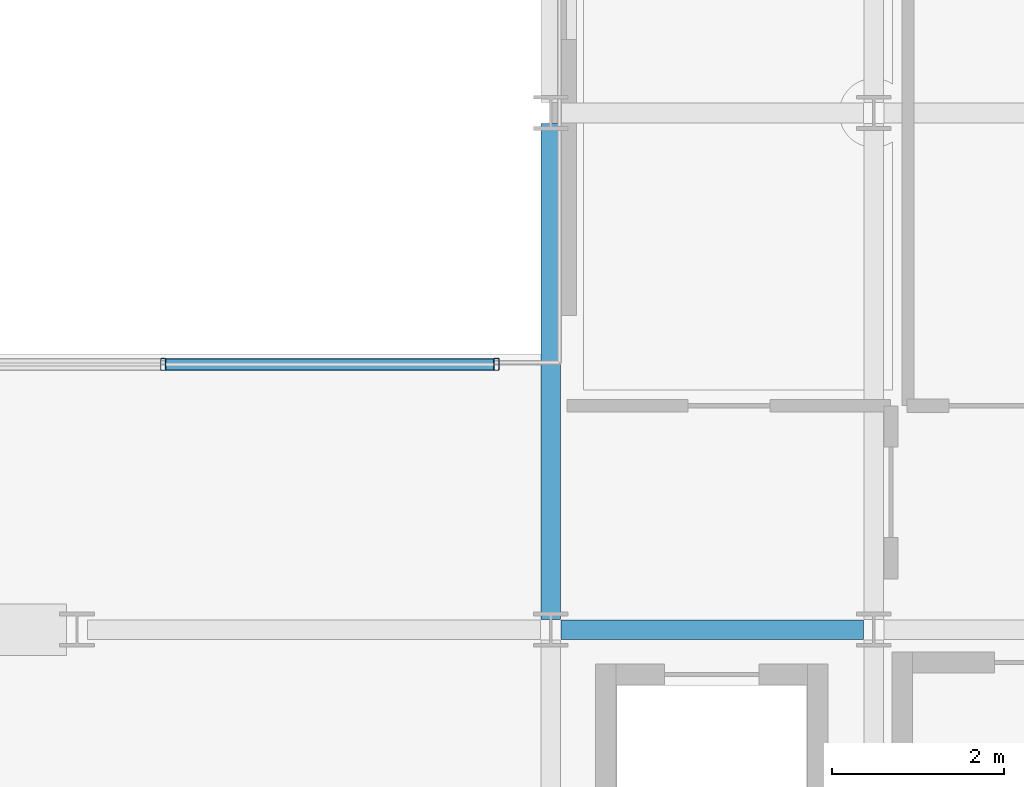
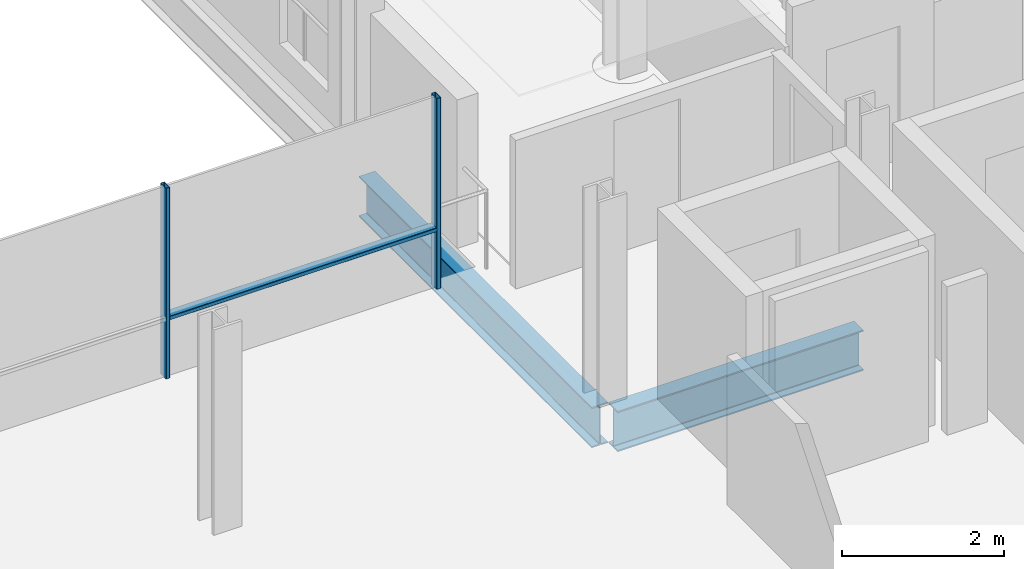
# One storey, part 15 of 41: 3 members, 2 beams, 1 element without a shape of its own.
"""IFC4 building model written with IfcOpenShell, lengths in metres."""

from ifc_helpers import new_model, si_unit, direction, frame, origin, origin_2d, place, context, subcontext, project, spatial, hollow_rectangle, i_section, extrude, material, layer, layer_set, material_profile, profile_set, type_object, element, aggregate, save


model = new_model("IFC4")

# Units and contexts
model_context = context("Model", 3, precision=1e-05, world=origin(), true_north=direction((0.0, 1.0)))
body_context = subcontext(model_context, "Body", "Model", "MODEL_VIEW")
ifc_project = project(units=[si_unit("LENGTHUNIT", "METRE"), si_unit("AREAUNIT", "SQUARE_METRE"), si_unit("VOLUMEUNIT", "CUBIC_METRE"), si_unit("PLANEANGLEUNIT", "RADIAN"), si_unit("MASSUNIT", "GRAM", prefix="KILO")], contexts=[model_context])

# Site, building, storey
site_placement = place(None, origin())
site = spatial("IfcSite", under=ifc_project, at=site_placement, CompositionType="ELEMENT")
building_placement = place(site_placement, origin())
building = spatial("IfcBuilding", under=site, at=building_placement, Name="Brevholm Reach", CompositionType="ELEMENT")
storey_placement = place(building_placement, frame((0.0, 0.0, 163.5)))
storey = spatial("IfcBuildingStorey", under=building, at=storey_placement, Name="L49", CompositionType="ELEMENT", Elevation=163.5)

# Beams
ifc_material_1 = material(Name="Structural Steel S355J2", Category="steel")
ifc_material_profile_1 = material_profile(ifc_material_1, i_section(OverallWidth=0.22900390625, OverallDepth=0.6123046875, WebThickness=0.011962890625, FlangeThickness=0.01953125, FilletRadius=0.0126953125, at=origin_2d()), Name="UKB 610x229x125")
ifc_profile_set_1 = profile_set([ifc_material_profile_1], Name="Structural Steel S355J2")
beam_type = type_object("IfcBeamType", Name="BM-SP610", PredefinedType="SPANDREL", material=ifc_profile_set_1)
beam_1_placement = place(storey_placement, frame((38.3701171875, 10.0, -0.526123046875), z_axis=(1.0, 0.0, 0.0), x_axis=(0.0, 1.0, 0.0)))
element("IfcBeam", 1, at=beam_1_placement, inside=storey, type_object=beam_type, Name="L49 SP-01 Framing Beam", PredefinedType="SPANDREL", context=body_context, shape_type="SweptSolid", body=[
    extrude(i_section(OverallWidth=0.22900390625, OverallDepth=0.6123046875, WebThickness=0.011962890625, FlangeThickness=0.01953125, FilletRadius=0.0126953125, at=origin_2d()), origin(), (0.0, 0.0, 1.0), 3.509765625),
])
beam_2_placement = place(storey_placement, frame((38.25, 10.1201171875, -0.526123046875), z_axis=(0.0, 1.0, 0.0), x_axis=(-1.0, 0.0, 0.0)))
element("IfcBeam", 2, at=beam_2_placement, inside=storey, type_object=beam_type, Name="L49 SP-01 Framing Beam", PredefinedType="SPANDREL", context=body_context, shape_type="SweptSolid", body=[
    extrude(i_section(OverallWidth=0.22900390625, OverallDepth=0.6123046875, WebThickness=0.011962890625, FlangeThickness=0.01953125, FilletRadius=0.0126953125, at=origin_2d()), origin(), (0.0, 0.0, 1.0), 5.759765625),
])

# Curtain wall, members
ifc_material_2 = material(Name="Dark Anodised Aluminium 6063-T6 and Solar-Control Glass", Category="aluminium")
ifc_layer = layer(ifc_material_2, 0.139892578125)
ifc_layer_set = layer_set([ifc_layer], Name="Dark Anodised Aluminium 6063-T6 and Solar-Control Glass")
curtain_wall_type = type_object("IfcCurtainWallType", Name="CW-02", PredefinedType="NOTDEFINED", material=ifc_layer_set)
curtain_wall_placement = place(storey_placement, origin())
curtain_wall = element("IfcCurtainWall", 3, at=curtain_wall_placement, inside=storey, type_object=curtain_wall_type, Name="L49 Curtain Wall CW-02", PredefinedType="NOTDEFINED")
ifc_material_3 = material(Name="Dark Anodised Aluminium 6063-T6", Category="aluminium")
ifc_material_profile_2 = material_profile(ifc_material_3, hollow_rectangle(XDim=0.06005859375, YDim=0.139892578125, WallThickness=0.0048828125, InnerFilletRadius=0.0048828125, OuterFilletRadius=0.010009765625, at=origin_2d()), Name="RHS 140x60x5")
ifc_profile_set_2 = profile_set([ifc_material_profile_2], Name="Dark Anodised Aluminium 6063-T6")
member_type_1 = type_object("IfcMemberType", Name="CWM-140", PredefinedType="MULLION", material=ifc_profile_set_2)
member_1_placement = place(storey_placement, frame((33.75, 13.080078125, 0.0), z_axis=(0.0, 0.0, 1.0), x_axis=(1.0, 0.0, 0.0)))
member_1 = element("IfcMember", 4, at=member_1_placement, type_object=member_type_1, Name="CM-140 Mullion 4", PredefinedType="MULLION", context=body_context, shape_type="SweptSolid", body=[
    extrude(hollow_rectangle(XDim=0.06005859375, YDim=0.139892578125, WallThickness=0.0048828125, InnerFilletRadius=0.0048828125, OuterFilletRadius=0.010009765625, at=origin_2d()), origin(), (0.0, 0.0, 1.0), 2.8798828125),
])
member_2_placement = place(storey_placement, frame((37.6201171875, 13.080078125, 0.0), z_axis=(0.0, 0.0, 1.0), x_axis=(1.0, 0.0, 0.0)))
member_2 = element("IfcMember", 5, at=member_2_placement, type_object=member_type_1, Name="CM-140 Mullion 5", PredefinedType="MULLION", context=body_context, shape_type="SweptSolid", body=[
    extrude(hollow_rectangle(XDim=0.06005859375, YDim=0.139892578125, WallThickness=0.0048828125, InnerFilletRadius=0.0048828125, OuterFilletRadius=0.010009765625, at=origin_2d()), origin(), (0.0, 0.0, 1.0), 2.8798828125),
])
ifc_material_4 = material(Name="Dark Anodised Aluminium 6063-T6", Category="aluminium")
ifc_material_profile_3 = material_profile(ifc_material_4, hollow_rectangle(XDim=0.06005859375, YDim=0.139892578125, WallThickness=0.0048828125, InnerFilletRadius=0.0048828125, OuterFilletRadius=0.010009765625, at=origin_2d()), Name="RHS 140x60x5")
ifc_profile_set_3 = profile_set([ifc_material_profile_3], Name="Dark Anodised Aluminium 6063-T6")
member_type_2 = type_object("IfcMemberType", Name="CWT-140", PredefinedType="NOTDEFINED", material=ifc_profile_set_3)
member_3_placement = place(storey_placement, frame((33.780029296875, 13.080078125, 0.89990234375), z_axis=(1.0, 0.0, 0.0), x_axis=(0.0, 0.0, 1.0)))
member_3 = element("IfcMember", 6, at=member_3_placement, type_object=member_type_2, Name="CT-140 Transom 4.1", ObjectType="TRANSOM", PredefinedType="USERDEFINED", context=body_context, shape_type="SweptSolid", body=[
    extrude(hollow_rectangle(XDim=0.06005859375, YDim=0.139892578125, WallThickness=0.0048828125, InnerFilletRadius=0.0048828125, OuterFilletRadius=0.010009765625, at=origin_2d()), origin(), (0.0, 0.0, 1.0), 3.81005859375),
])
aggregate(curtain_wall, [member_1, member_2, member_3])

save(model, "model.ifc")
